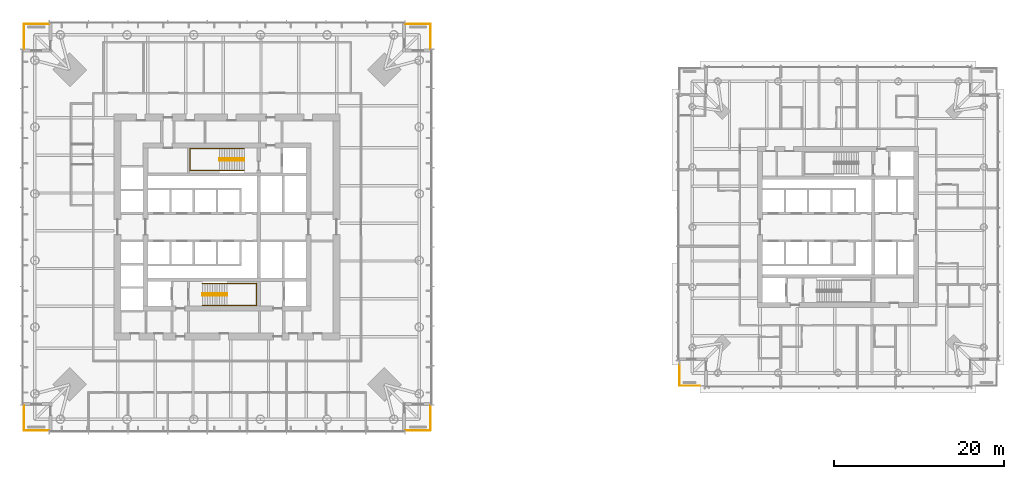
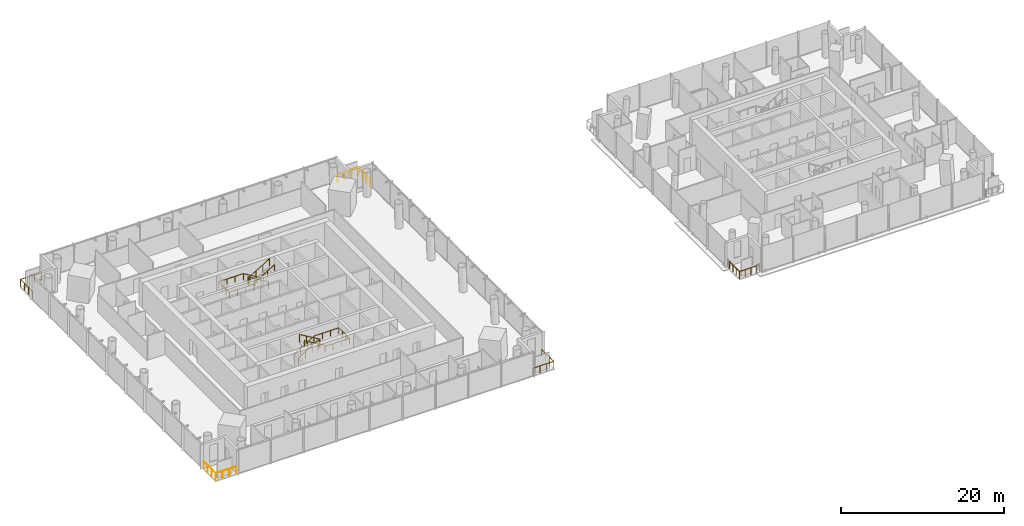
# One storey, part 21 of 22: 9 railings.
"""IFC4 building model written with IfcOpenShell, lengths in metres."""

from ifc_helpers import new_model, si_unit, direction, frame, origin, origin_2d, place, context, subcontext, project, spatial, circle, extrude, material, type_object, element, save


model = new_model("IFC4")

# Units and contexts
model_context = context("Model", 3, precision=1e-05, world=origin(), true_north=direction((0.0, 1.0)))
body_context = subcontext(model_context, "Body", "Model", "MODEL_VIEW")
ifc_project = project(units=[si_unit("LENGTHUNIT", "METRE"), si_unit("AREAUNIT", "SQUARE_METRE"), si_unit("VOLUMEUNIT", "CUBIC_METRE"), si_unit("PLANEANGLEUNIT", "RADIAN"), si_unit("MASSUNIT", "GRAM", prefix="KILO")], contexts=[model_context])

# Site, building, storey
site_placement = place(None, origin())
site = spatial("IfcSite", under=ifc_project, at=site_placement, CompositionType="ELEMENT")
building_placement = place(site_placement, origin())
building = spatial("IfcBuilding", under=site, at=building_placement, Name="Ostroluk Exchange", CompositionType="ELEMENT")
storey_placement = place(building_placement, frame((0.0, 0.0, 62.800048828125)))
storey = spatial("IfcBuildingStorey", under=building, at=storey_placement, Name="L15", CompositionType="ELEMENT", Elevation=62.800048828125)

# Railings
ifc_material_1 = material(Name="Stainless steel", Category="steel")
railing_type_1 = type_object("IfcRailingType", Name="Guard 1100 stainless steel", PredefinedType="GUARDRAIL", material=ifc_material_1)
railing_1_placement = place(storey_placement, frame((66.0, 22.050048828125, 0.0)))
element("IfcRailing", 1, at=railing_1_placement, inside=storey, type_object=railing_type_1, Name="Office tower SE balcony guard L15", PredefinedType="GUARDRAIL", context=body_context, shape_type="SweptSolid", body=[
    extrude(circle(Radius=0.02392578125, at=origin_2d()), frame((0.0, 0.0, 1.076171875), z_axis=(1.0, 0.0, 0.0), x_axis=(0.0, 1.0, 0.0)), (0.0, 0.0, 1.0), 2.949951171875),
    extrude(circle(Radius=0.02392578125, at=origin_2d()), frame((2.949951171875, 0.0, 1.076171875), z_axis=(0.0, 1.0, 0.0), x_axis=(-1.0, 0.0, 0.0)), (0.0, 0.0, 1.0), 2.949951171875),
    extrude(circle(Radius=0.02099609375, at=origin_2d()), origin(), (0.0, 0.0, 1.0), 1.052001953125),
    extrude(circle(Radius=0.02099609375, at=origin_2d()), frame((0.9833984375, 0.0, 0.0)), (0.0, 0.0, 1.0), 1.052001953125),
    extrude(circle(Radius=0.02099609375, at=origin_2d()), frame((1.966552734375, 0.0, 0.0)), (0.0, 0.0, 1.0), 1.052001953125),
    extrude(circle(Radius=0.02099609375, at=origin_2d()), frame((2.949951171875, 0.0, 0.0)), (0.0, 0.0, 1.0), 1.052001953125),
    extrude(circle(Radius=0.02099609375, at=origin_2d()), frame((2.949951171875, 0.9833984375, 0.0)), (0.0, 0.0, 1.0), 1.052001953125),
    extrude(circle(Radius=0.02099609375, at=origin_2d()), frame((2.949951171875, 1.966552734375, 0.0)), (0.0, 0.0, 1.0), 1.052001953125),
    extrude(circle(Radius=0.02099609375, at=origin_2d()), frame((2.949951171875, 2.949951171875, 0.0)), (0.0, 0.0, 1.0), 1.052001953125),
])
railing_2_placement = place(storey_placement, frame((66.0, 69.949951171875, 0.0)))
element("IfcRailing", 2, at=railing_2_placement, inside=storey, type_object=railing_type_1, Name="Office tower NE balcony guard L15", PredefinedType="GUARDRAIL", context=body_context, shape_type="SweptSolid", body=[
    extrude(circle(Radius=0.02392578125, at=origin_2d()), frame((0.0, 0.0, 1.076171875), z_axis=(1.0, 0.0, 0.0), x_axis=(0.0, 1.0, 0.0)), (0.0, 0.0, 1.0), 2.949951171875),
    extrude(circle(Radius=0.02392578125, at=origin_2d()), frame((2.949951171875, 0.0, 1.076171875), z_axis=(0.0, -1.0, 0.0), x_axis=(1.0, 0.0, 0.0)), (0.0, 0.0, 1.0), 2.949951171875),
    extrude(circle(Radius=0.02099609375, at=origin_2d()), origin(), (0.0, 0.0, 1.0), 1.052001953125),
    extrude(circle(Radius=0.02099609375, at=origin_2d()), frame((0.9833984375, 0.0, 0.0)), (0.0, 0.0, 1.0), 1.052001953125),
    extrude(circle(Radius=0.02099609375, at=origin_2d()), frame((1.966552734375, 0.0, 0.0)), (0.0, 0.0, 1.0), 1.052001953125),
    extrude(circle(Radius=0.02099609375, at=origin_2d()), frame((2.949951171875, 0.0, 0.0)), (0.0, 0.0, 1.0), 1.052001953125),
    extrude(circle(Radius=0.02099609375, at=origin_2d()), frame((2.949951171875, -0.9833984375, 0.0)), (0.0, 0.0, 1.0), 1.052001953125),
    extrude(circle(Radius=0.02099609375, at=origin_2d()), frame((2.949951171875, -1.966552734375, 0.0)), (0.0, 0.0, 1.0), 1.052001953125),
    extrude(circle(Radius=0.02099609375, at=origin_2d()), frame((2.949951171875, -2.949951171875, 0.0)), (0.0, 0.0, 1.0), 1.052001953125),
])
railing_3_placement = place(storey_placement, frame((24.0, 69.949951171875, 0.0)))
element("IfcRailing", 3, at=railing_3_placement, inside=storey, type_object=railing_type_1, Name="Office tower NW balcony guard L15", PredefinedType="GUARDRAIL", context=body_context, shape_type="SweptSolid", body=[
    extrude(circle(Radius=0.02392578125, at=origin_2d()), frame((0.0, 0.0, 1.076171875), z_axis=(-1.0, 0.0, 0.0), x_axis=(0.0, -1.0, 0.0)), (0.0, 0.0, 1.0), 2.949951171875),
    extrude(circle(Radius=0.02392578125, at=origin_2d()), frame((-2.949951171875, 0.0, 1.076171875), z_axis=(0.0, -1.0, 0.0), x_axis=(1.0, 0.0, 0.0)), (0.0, 0.0, 1.0), 2.949951171875),
    extrude(circle(Radius=0.02099609375, at=origin_2d()), origin(), (0.0, 0.0, 1.0), 1.052001953125),
    extrude(circle(Radius=0.02099609375, at=origin_2d()), frame((-0.9833984375, 0.0, 0.0)), (0.0, 0.0, 1.0), 1.052001953125),
    extrude(circle(Radius=0.02099609375, at=origin_2d()), frame((-1.966552734375, 0.0, 0.0)), (0.0, 0.0, 1.0), 1.052001953125),
    extrude(circle(Radius=0.02099609375, at=origin_2d()), frame((-2.949951171875, 0.0, 0.0)), (0.0, 0.0, 1.0), 1.052001953125),
    extrude(circle(Radius=0.02099609375, at=origin_2d()), frame((-2.949951171875, -0.9833984375, 0.0)), (0.0, 0.0, 1.0), 1.052001953125),
    extrude(circle(Radius=0.02099609375, at=origin_2d()), frame((-2.949951171875, -1.966552734375, 0.0)), (0.0, 0.0, 1.0), 1.052001953125),
    extrude(circle(Radius=0.02099609375, at=origin_2d()), frame((-2.949951171875, -2.949951171875, 0.0)), (0.0, 0.0, 1.0), 1.052001953125),
])
railing_4_placement = place(storey_placement, frame((24.0, 22.050048828125, 0.0)))
element("IfcRailing", 4, at=railing_4_placement, inside=storey, type_object=railing_type_1, Name="Office tower SW balcony guard L15", PredefinedType="GUARDRAIL", context=body_context, shape_type="SweptSolid", body=[
    extrude(circle(Radius=0.02392578125, at=origin_2d()), frame((0.0, 0.0, 1.076171875), z_axis=(-1.0, 0.0, 0.0), x_axis=(0.0, -1.0, 0.0)), (0.0, 0.0, 1.0), 2.949951171875),
    extrude(circle(Radius=0.02392578125, at=origin_2d()), frame((-2.949951171875, 0.0, 1.076171875), z_axis=(0.0, 1.0, 0.0), x_axis=(-1.0, 0.0, 0.0)), (0.0, 0.0, 1.0), 2.949951171875),
    extrude(circle(Radius=0.02099609375, at=origin_2d()), origin(), (0.0, 0.0, 1.0), 1.052001953125),
    extrude(circle(Radius=0.02099609375, at=origin_2d()), frame((-0.9833984375, 0.0, 0.0)), (0.0, 0.0, 1.0), 1.052001953125),
    extrude(circle(Radius=0.02099609375, at=origin_2d()), frame((-1.966552734375, 0.0, 0.0)), (0.0, 0.0, 1.0), 1.052001953125),
    extrude(circle(Radius=0.02099609375, at=origin_2d()), frame((-2.949951171875, 0.0, 0.0)), (0.0, 0.0, 1.0), 1.052001953125),
    extrude(circle(Radius=0.02099609375, at=origin_2d()), frame((-2.949951171875, 0.9833984375, 0.0)), (0.0, 0.0, 1.0), 1.052001953125),
    extrude(circle(Radius=0.02099609375, at=origin_2d()), frame((-2.949951171875, 1.966552734375, 0.0)), (0.0, 0.0, 1.0), 1.052001953125),
    extrude(circle(Radius=0.02099609375, at=origin_2d()), frame((-2.949951171875, 2.949951171875, 0.0)), (0.0, 0.0, 1.0), 1.052001953125),
])
railing_5_placement = place(storey_placement, frame((100.75, 27.300048828125, 0.0)))
element("IfcRailing", 5, at=railing_5_placement, inside=storey, type_object=railing_type_1, Name="Hotel tower SW balcony guard L15", PredefinedType="GUARDRAIL", context=body_context, shape_type="SweptSolid", body=[
    extrude(circle(Radius=0.02392578125, at=origin_2d()), frame((0.0, 0.0, 1.076171875), z_axis=(-1.0, 0.0, 0.0), x_axis=(0.0, -1.0, 0.0)), (0.0, 0.0, 1.0), 2.449951171875),
    extrude(circle(Radius=0.02392578125, at=origin_2d()), frame((-2.449951171875, 0.0, 1.076171875), z_axis=(0.0, 1.0, 0.0), x_axis=(-1.0, 0.0, 0.0)), (0.0, 0.0, 1.0), 2.449951171875),
    extrude(circle(Radius=0.02099609375, at=origin_2d()), origin(), (0.0, 0.0, 1.0), 1.052001953125),
    extrude(circle(Radius=0.02099609375, at=origin_2d()), frame((-0.816650390625, 0.0, 0.0)), (0.0, 0.0, 1.0), 1.052001953125),
    extrude(circle(Radius=0.02099609375, at=origin_2d()), frame((-1.63330078125, 0.0, 0.0)), (0.0, 0.0, 1.0), 1.052001953125),
    extrude(circle(Radius=0.02099609375, at=origin_2d()), frame((-2.449951171875, 0.0, 0.0)), (0.0, 0.0, 1.0), 1.052001953125),
    extrude(circle(Radius=0.02099609375, at=origin_2d()), frame((-2.449951171875, 0.816650390625, 0.0)), (0.0, 0.0, 1.0), 1.052001953125),
    extrude(circle(Radius=0.02099609375, at=origin_2d()), frame((-2.449951171875, 1.63330078125, 0.0)), (0.0, 0.0, 1.0), 1.052001953125),
    extrude(circle(Radius=0.02099609375, at=origin_2d()), frame((-2.449951171875, 2.449951171875, 0.0)), (0.0, 0.0, 1.0), 1.052001953125),
])
ifc_material_2 = material(Name="Steel S355", Category="steel")
railing_type_2 = type_object("IfcRailingType", Name="Stair guard 1100", PredefinedType="GUARDRAIL", material=ifc_material_2)
railing_6_placement = place(storey_placement, frame((42.10009765625, 38.179931640625, 0.172607421875)))
element("IfcRailing", 6, at=railing_6_placement, inside=storey, type_object=railing_type_2, Name="Stair T1-S1 guard L15", PredefinedType="GUARDRAIL", context=body_context, shape_type="SweptSolid", body=[
    extrude(circle(Radius=0.02392578125, at=origin_2d()), frame((0.0, 0.0, 1.076171875), z_axis=(0.859141464434, 0.0, 0.511738159696), x_axis=(0.0, 1.0, 0.0)), (0.0, 0.0, 1.0), 3.375244140625),
    extrude(circle(Radius=0.02392578125, at=origin_2d()), frame((2.89990234375, 0.0, 2.80322265625), z_axis=(0.0, -1.0, 0.0), x_axis=(1.0, 0.0, 0.0)), (0.0, 0.0, 1.0), 0.260009765625),
    extrude(circle(Radius=0.02392578125, at=origin_2d()), frame((2.89990234375, -0.260009765625, 2.80322265625), z_axis=(0.0, 0.0, 1.0), x_axis=(1.0, 0.0, 0.0)), (0.0, 0.0, 1.0), 0.1728515625),
    extrude(circle(Radius=0.02392578125, at=origin_2d()), frame((2.89990234375, -0.260009765625, 2.97607421875), z_axis=(-0.859141464434, 0.0, 0.511738159696), x_axis=(0.0, -1.0, 0.0)), (0.0, 0.0, 1.0), 3.375244140625),
    extrude(circle(Radius=0.02099609375, at=origin_2d()), origin(), (0.0, 0.0, 1.0), 1.052001953125),
    extrude(circle(Radius=0.02099609375, at=origin_2d()), frame((0.966552734375, 0.0, 0.57568359375)), (0.0, 0.0, 1.0), 1.052001953125),
    extrude(circle(Radius=0.02099609375, at=origin_2d()), frame((1.933349609375, 0.0, 1.151611328125)), (0.0, 0.0, 1.0), 1.052001953125),
    extrude(circle(Radius=0.02099609375, at=origin_2d()), frame((2.89990234375, 0.0, 1.727294921875)), (0.0, 0.0, 1.0), 1.052001953125),
    extrude(circle(Radius=0.02099609375, at=origin_2d()), frame((2.89990234375, -0.260009765625, 1.727294921875)), (0.0, 0.0, 1.0), 1.052001953125),
    extrude(circle(Radius=0.02099609375, at=origin_2d()), frame((2.89990234375, -0.260009765625, 1.900146484375)), (0.0, 0.0, 1.0), 1.052001953125),
    extrude(circle(Radius=0.02099609375, at=origin_2d()), frame((1.933349609375, -0.260009765625, 2.475830078125)), (0.0, 0.0, 1.0), 1.052001953125),
    extrude(circle(Radius=0.02099609375, at=origin_2d()), frame((0.966552734375, -0.260009765625, 3.0517578125)), (0.0, 0.0, 1.0), 1.052001953125),
    extrude(circle(Radius=0.02099609375, at=origin_2d()), frame((0.0, -0.260009765625, 3.62744140625)), (0.0, 0.0, 1.0), 1.052001953125),
])
railing_7_placement = place(storey_placement, frame((47.030029296875, 54.080078125, 0.172607421875)))
element("IfcRailing", 7, at=railing_7_placement, inside=storey, type_object=railing_type_2, Name="Stair T1-S2 guard L15", PredefinedType="GUARDRAIL", context=body_context, shape_type="SweptSolid", body=[
    extrude(circle(Radius=0.02392578125, at=origin_2d()), frame((0.0, 0.0, 1.076171875), z_axis=(-0.859160404282, 0.0, 0.51170636083), x_axis=(0.0, -1.0, 0.0)), (0.0, 0.0, 1.0), 3.37548828125),
    extrude(circle(Radius=0.02392578125, at=origin_2d()), frame((-2.900146484375, 0.0, 2.80322265625), z_axis=(0.0, -1.0, 0.0), x_axis=(1.0, 0.0, 0.0)), (0.0, 0.0, 1.0), 0.260009765625),
    extrude(circle(Radius=0.02392578125, at=origin_2d()), frame((-2.900146484375, -0.260009765625, 2.80322265625), z_axis=(0.0, 0.0, 1.0), x_axis=(1.0, 0.0, 0.0)), (0.0, 0.0, 1.0), 0.1728515625),
    extrude(circle(Radius=0.02392578125, at=origin_2d()), frame((-2.900146484375, -0.260009765625, 2.97607421875), z_axis=(0.859160404282, 0.0, 0.51170636083), x_axis=(0.0, 1.0, 0.0)), (0.0, 0.0, 1.0), 3.37548828125),
    extrude(circle(Radius=0.02099609375, at=origin_2d()), origin(), (0.0, 0.0, 1.0), 1.052001953125),
    extrude(circle(Radius=0.02099609375, at=origin_2d()), frame((-0.966796875, 0.0, 0.57568359375)), (0.0, 0.0, 1.0), 1.052001953125),
    extrude(circle(Radius=0.02099609375, at=origin_2d()), frame((-1.933349609375, 0.0, 1.151611328125)), (0.0, 0.0, 1.0), 1.052001953125),
    extrude(circle(Radius=0.02099609375, at=origin_2d()), frame((-2.900146484375, 0.0, 1.727294921875)), (0.0, 0.0, 1.0), 1.052001953125),
    extrude(circle(Radius=0.02099609375, at=origin_2d()), frame((-2.900146484375, -0.260009765625, 1.727294921875)), (0.0, 0.0, 1.0), 1.052001953125),
    extrude(circle(Radius=0.02099609375, at=origin_2d()), frame((-2.900146484375, -0.260009765625, 1.900146484375)), (0.0, 0.0, 1.0), 1.052001953125),
    extrude(circle(Radius=0.02099609375, at=origin_2d()), frame((-1.933349609375, -0.260009765625, 2.475830078125)), (0.0, 0.0, 1.0), 1.052001953125),
    extrude(circle(Radius=0.02099609375, at=origin_2d()), frame((-0.966796875, -0.260009765625, 3.0517578125)), (0.0, 0.0, 1.0), 1.052001953125),
    extrude(circle(Radius=0.02099609375, at=origin_2d()), frame((0.0, -0.260009765625, 3.62744140625)), (0.0, 0.0, 1.0), 1.052001953125),
])
ifc_material_3 = material(Name="Stainless steel", Category="steel")
railing_type_3 = type_object("IfcRailingType", Name="Stair handrail 900", PredefinedType="HANDRAIL", material=ifc_material_3)
railing_8_placement = place(storey_placement, frame((42.10009765625, 39.35009765625, 0.172607421875)))
element("IfcRailing", 8, at=railing_8_placement, inside=storey, type_object=railing_type_3, Name="Stair T1-S1 handrail L15", PredefinedType="HANDRAIL", context=body_context, shape_type="SweptSolid", body=[
    extrude(circle(Radius=0.02392578125, at=origin_2d()), frame((0.0, 0.0, 0.8759765625), z_axis=(0.859141464434, 0.0, 0.511738159696), x_axis=(0.0, 1.0, 0.0)), (0.0, 0.0, 1.0), 3.375244140625),
    extrude(circle(Radius=0.02392578125, at=origin_2d()), frame((2.89990234375, 0.0, 2.60302734375), z_axis=(1.0, 0.0, 0.0), x_axis=(0.0, 1.0, 0.0)), (0.0, 0.0, 1.0), 3.47998046875),
    extrude(circle(Radius=0.02392578125, at=origin_2d()), frame((6.3798828125, 0.0, 2.60302734375), z_axis=(0.0, -1.0, 0.0), x_axis=(1.0, 0.0, 0.0)), (0.0, 0.0, 1.0), 2.60009765625),
    extrude(circle(Radius=0.02392578125, at=origin_2d()), frame((6.3798828125, -2.60009765625, 2.60302734375), z_axis=(-1.0, 0.0, 0.0), x_axis=(0.0, -1.0, 0.0)), (0.0, 0.0, 1.0), 3.47998046875),
    extrude(circle(Radius=0.02392578125, at=origin_2d()), frame((2.89990234375, -2.60009765625, 2.60302734375), z_axis=(0.0, 0.0, 1.0), x_axis=(1.0, 0.0, 0.0)), (0.0, 0.0, 1.0), 0.1728515625),
    extrude(circle(Radius=0.02392578125, at=origin_2d()), frame((2.89990234375, -2.60009765625, 2.77587890625), z_axis=(-0.859141464434, 0.0, 0.511738159696), x_axis=(0.0, -1.0, 0.0)), (0.0, 0.0, 1.0), 3.375244140625),
    extrude(circle(Radius=0.02099609375, at=origin_2d()), origin(), (0.0, 0.0, 1.0), 0.851806640625),
    extrude(circle(Radius=0.02099609375, at=origin_2d()), frame((0.966552734375, 0.0, 0.57568359375)), (0.0, 0.0, 1.0), 0.851806640625),
    extrude(circle(Radius=0.02099609375, at=origin_2d()), frame((1.933349609375, 0.0, 1.151611328125)), (0.0, 0.0, 1.0), 0.851806640625),
    extrude(circle(Radius=0.02099609375, at=origin_2d()), frame((2.89990234375, 0.0, 1.727294921875)), (0.0, 0.0, 1.0), 0.851806640625),
    extrude(circle(Radius=0.02099609375, at=origin_2d()), frame((4.059814453125, 0.0, 1.727294921875)), (0.0, 0.0, 1.0), 0.851806640625),
    extrude(circle(Radius=0.02099609375, at=origin_2d()), frame((5.219970703125, 0.0, 1.727294921875)), (0.0, 0.0, 1.0), 0.851806640625),
    extrude(circle(Radius=0.02099609375, at=origin_2d()), frame((6.3798828125, 0.0, 1.727294921875)), (0.0, 0.0, 1.0), 0.851806640625),
    extrude(circle(Radius=0.02099609375, at=origin_2d()), frame((6.3798828125, -0.86669921875, 1.727294921875)), (0.0, 0.0, 1.0), 0.851806640625),
    extrude(circle(Radius=0.02099609375, at=origin_2d()), frame((6.3798828125, -1.7333984375, 1.727294921875)), (0.0, 0.0, 1.0), 0.851806640625),
    extrude(circle(Radius=0.02099609375, at=origin_2d()), frame((6.3798828125, -2.60009765625, 1.727294921875)), (0.0, 0.0, 1.0), 0.851806640625),
    extrude(circle(Radius=0.02099609375, at=origin_2d()), frame((5.219970703125, -2.60009765625, 1.727294921875)), (0.0, 0.0, 1.0), 0.851806640625),
    extrude(circle(Radius=0.02099609375, at=origin_2d()), frame((4.059814453125, -2.60009765625, 1.727294921875)), (0.0, 0.0, 1.0), 0.851806640625),
    extrude(circle(Radius=0.02099609375, at=origin_2d()), frame((2.89990234375, -2.60009765625, 1.727294921875)), (0.0, 0.0, 1.0), 0.851806640625),
    extrude(circle(Radius=0.02099609375, at=origin_2d()), frame((2.89990234375, -2.60009765625, 1.900146484375)), (0.0, 0.0, 1.0), 0.851806640625),
    extrude(circle(Radius=0.02099609375, at=origin_2d()), frame((1.933349609375, -2.60009765625, 2.475830078125)), (0.0, 0.0, 1.0), 0.851806640625),
    extrude(circle(Radius=0.02099609375, at=origin_2d()), frame((0.966552734375, -2.60009765625, 3.0517578125)), (0.0, 0.0, 1.0), 0.851806640625),
    extrude(circle(Radius=0.02099609375, at=origin_2d()), frame((0.0, -2.60009765625, 3.62744140625)), (0.0, 0.0, 1.0), 0.851806640625),
])
railing_9_placement = place(storey_placement, frame((47.030029296875, 55.25, 0.172607421875)))
element("IfcRailing", 9, at=railing_9_placement, inside=storey, type_object=railing_type_3, Name="Stair T1-S2 handrail L15", PredefinedType="HANDRAIL", context=body_context, shape_type="SweptSolid", body=[
    extrude(circle(Radius=0.02392578125, at=origin_2d()), frame((0.0, 0.0, 0.8759765625), z_axis=(-0.859160404282, 0.0, 0.51170636083), x_axis=(0.0, -1.0, 0.0)), (0.0, 0.0, 1.0), 3.37548828125),
    extrude(circle(Radius=0.02392578125, at=origin_2d()), frame((-2.900146484375, 0.0, 2.60302734375), z_axis=(-1.0, 0.0, 0.0), x_axis=(0.0, -1.0, 0.0)), (0.0, 0.0, 1.0), 3.47998046875),
    extrude(circle(Radius=0.02392578125, at=origin_2d()), frame((-6.380126953125, 0.0, 2.60302734375), z_axis=(0.0, -1.0, 0.0), x_axis=(1.0, 0.0, 0.0)), (0.0, 0.0, 1.0), 2.60009765625),
    extrude(circle(Radius=0.02392578125, at=origin_2d()), frame((-6.380126953125, -2.60009765625, 2.60302734375), z_axis=(1.0, 0.0, 0.0), x_axis=(0.0, 1.0, 0.0)), (0.0, 0.0, 1.0), 3.47998046875),
    extrude(circle(Radius=0.02392578125, at=origin_2d()), frame((-2.900146484375, -2.60009765625, 2.60302734375), z_axis=(0.0, 0.0, 1.0), x_axis=(1.0, 0.0, 0.0)), (0.0, 0.0, 1.0), 0.1728515625),
    extrude(circle(Radius=0.02392578125, at=origin_2d()), frame((-2.900146484375, -2.60009765625, 2.77587890625), z_axis=(0.859160404282, 0.0, 0.51170636083), x_axis=(0.0, 1.0, 0.0)), (0.0, 0.0, 1.0), 3.37548828125),
    extrude(circle(Radius=0.02099609375, at=origin_2d()), origin(), (0.0, 0.0, 1.0), 0.851806640625),
    extrude(circle(Radius=0.02099609375, at=origin_2d()), frame((-0.966796875, 0.0, 0.57568359375)), (0.0, 0.0, 1.0), 0.851806640625),
    extrude(circle(Radius=0.02099609375, at=origin_2d()), frame((-1.933349609375, 0.0, 1.151611328125)), (0.0, 0.0, 1.0), 0.851806640625),
    extrude(circle(Radius=0.02099609375, at=origin_2d()), frame((-2.900146484375, 0.0, 1.727294921875)), (0.0, 0.0, 1.0), 0.851806640625),
    extrude(circle(Radius=0.02099609375, at=origin_2d()), frame((-4.06005859375, 0.0, 1.727294921875)), (0.0, 0.0, 1.0), 0.851806640625),
    extrude(circle(Radius=0.02099609375, at=origin_2d()), frame((-5.22021484375, 0.0, 1.727294921875)), (0.0, 0.0, 1.0), 0.851806640625),
    extrude(circle(Radius=0.02099609375, at=origin_2d()), frame((-6.380126953125, 0.0, 1.727294921875)), (0.0, 0.0, 1.0), 0.851806640625),
    extrude(circle(Radius=0.02099609375, at=origin_2d()), frame((-6.380126953125, -0.86669921875, 1.727294921875)), (0.0, 0.0, 1.0), 0.851806640625),
    extrude(circle(Radius=0.02099609375, at=origin_2d()), frame((-6.380126953125, -1.7333984375, 1.727294921875)), (0.0, 0.0, 1.0), 0.851806640625),
    extrude(circle(Radius=0.02099609375, at=origin_2d()), frame((-6.380126953125, -2.60009765625, 1.727294921875)), (0.0, 0.0, 1.0), 0.851806640625),
    extrude(circle(Radius=0.02099609375, at=origin_2d()), frame((-5.22021484375, -2.60009765625, 1.727294921875)), (0.0, 0.0, 1.0), 0.851806640625),
    extrude(circle(Radius=0.02099609375, at=origin_2d()), frame((-4.06005859375, -2.60009765625, 1.727294921875)), (0.0, 0.0, 1.0), 0.851806640625),
    extrude(circle(Radius=0.02099609375, at=origin_2d()), frame((-2.900146484375, -2.60009765625, 1.727294921875)), (0.0, 0.0, 1.0), 0.851806640625),
    extrude(circle(Radius=0.02099609375, at=origin_2d()), frame((-2.900146484375, -2.60009765625, 1.900146484375)), (0.0, 0.0, 1.0), 0.851806640625),
    extrude(circle(Radius=0.02099609375, at=origin_2d()), frame((-1.933349609375, -2.60009765625, 2.475830078125)), (0.0, 0.0, 1.0), 0.851806640625),
    extrude(circle(Radius=0.02099609375, at=origin_2d()), frame((-0.966796875, -2.60009765625, 3.0517578125)), (0.0, 0.0, 1.0), 0.851806640625),
    extrude(circle(Radius=0.02099609375, at=origin_2d()), frame((0.0, -2.60009765625, 3.62744140625)), (0.0, 0.0, 1.0), 0.851806640625),
])

save(model, "model.ifc")
